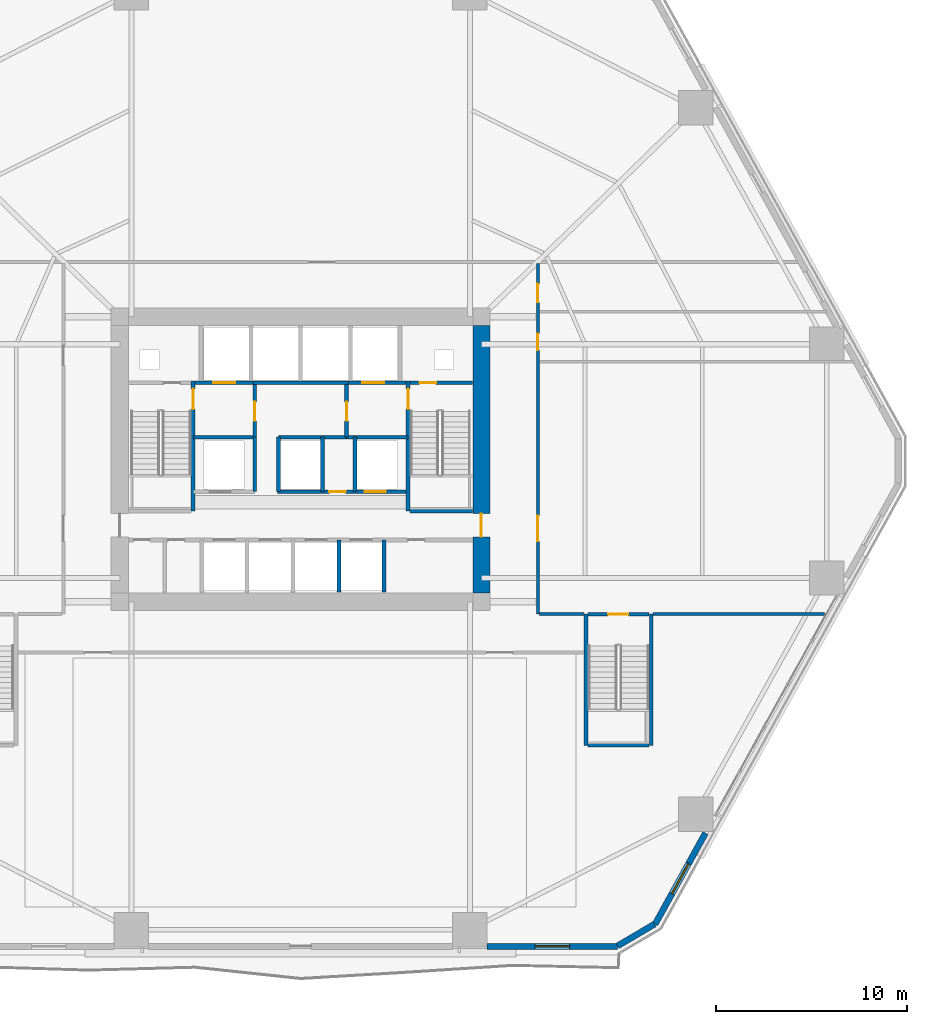
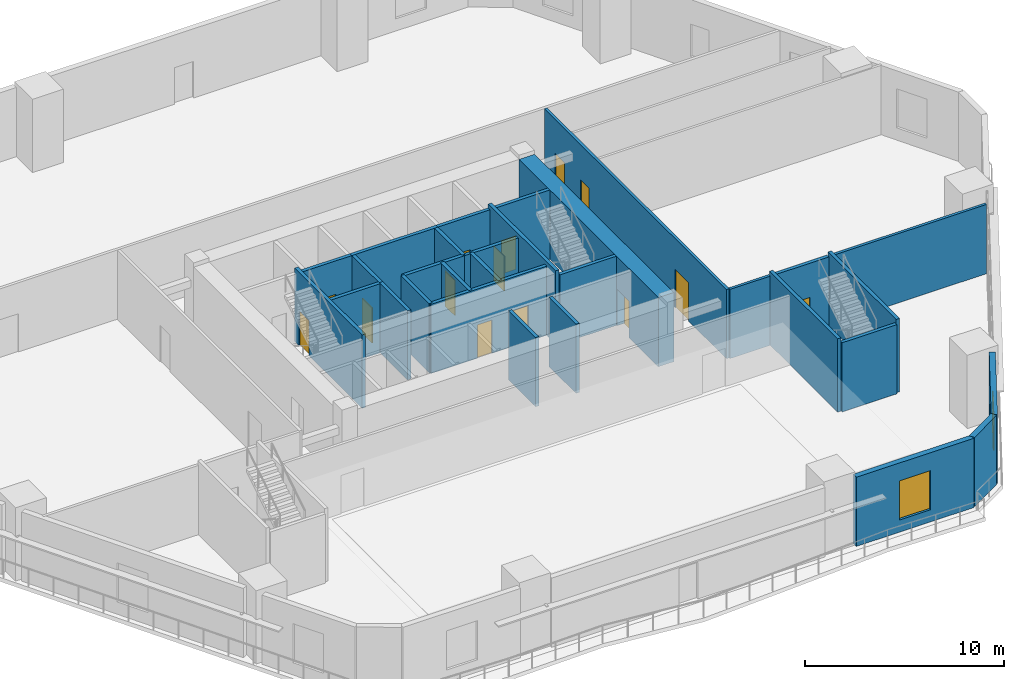
# One storey, part 10 of 21: 30 walls, 14 doors, 2 windows, 16 openings.
"""IFC4 building model written with IfcOpenShell, lengths in metres."""

from ifc_helpers import new_model, si_unit, direction, frame, frame_2d, origin, place, context, subcontext, project, spatial, rectangle, extrude, material, layer, layer_set, type_object, element, fill, save


model = new_model("IFC4")

# Units and contexts
model_context = context("Model", 3, precision=1e-05, world=origin(), true_north=direction((0.0, 1.0)))
body_context = subcontext(model_context, "Body", "Model", "MODEL_VIEW")
ifc_project = project(units=[si_unit("LENGTHUNIT", "METRE"), si_unit("AREAUNIT", "SQUARE_METRE"), si_unit("VOLUMEUNIT", "CUBIC_METRE"), si_unit("PLANEANGLEUNIT", "RADIAN"), si_unit("MASSUNIT", "GRAM", prefix="KILO")], contexts=[model_context])

# Site, building, storey
site_placement = place(None, origin())
site = spatial("IfcSite", under=ifc_project, at=site_placement, CompositionType="ELEMENT")
building_placement = place(site_placement, origin())
building = spatial("IfcBuilding", under=site, at=building_placement, Name="Cinnabar Lancet Tower", CompositionType="ELEMENT")
storey_placement = place(building_placement, frame((0.0, 0.0, 6.0)))
storey = spatial("IfcBuildingStorey", under=building, at=storey_placement, Name="L01", CompositionType="ELEMENT", Elevation=6.0)

# Walls
ifc_material_1 = material(Name="Acoustic twin-stud gypsum partition", Category="gypsum")
ifc_layer_1 = layer(ifc_material_1, 0.159912109375)
ifc_layer_set_1 = layer_set([ifc_layer_1], Name="Acoustic twin-stud gypsum partition")
wall_type_1 = type_object("IfcWallType", Name="ARC-WL-CORR-160", PredefinedType="PARTITIONING", material=ifc_layer_set_1)
wall_1_placement = place(storey_placement, frame((44.885009765625, 17.800048828125, 0.0), z_axis=(0.0, 0.0, 1.0), x_axis=(1.0, 0.0, 0.0)))
element("IfcWall", 1, at=wall_1_placement, inside=storey, type_object=wall_type_1, Name="PW-L01-ESTEP", PredefinedType="PARTITIONING", context=body_context, shape_type="SweptSolid", body=[
    extrude(rectangle(XDim=2.330078125, YDim=0.159912109375, at=frame_2d((1.1650390625, 0.0))), origin(), (0.0, 0.0, 1.0), 4.25),
])
wall_2_placement = place(storey_placement, frame((50.824951171875, 17.800048828125, 0.0), z_axis=(0.0, 0.0, 1.0), x_axis=(1.0, 0.0, 0.0)))
element("IfcWall", 2, at=wall_2_placement, inside=storey, type_object=wall_type_1, Name="PW-L01-ESF", PredefinedType="PARTITIONING", context=body_context, shape_type="SweptSolid", body=[
    extrude(rectangle(XDim=8.955078125, YDim=0.159912109375, at=frame_2d((4.4775390625, 0.0))), origin(), (0.0, 0.0, 1.0), 4.25),
])

# Wall, openings, doors
wall_3_placement = place(storey_placement, frame((44.800048828125, 17.800048828125, 0.0), z_axis=(0.0, 0.0, 1.0), x_axis=(0.0, 1.0, 0.0)))
wall_3 = element("IfcWall", 3, at=wall_3_placement, inside=storey, type_object=wall_type_1, Name="PW-L01-EWG", PredefinedType="PARTITIONING", context=body_context, shape_type="SweptSolid", body=[
    extrude(rectangle(XDim=18.31494140625, YDim=0.159912109375, at=frame_2d((9.157470703125, 0.0))), origin(), (0.0, 0.0, 1.0), 4.25),
])
opening_1_placement = place(wall_3_placement, frame((3.800048828125, 0.0, 0.0)))
opening_1 = element("IfcOpeningElement", 4, at=opening_1_placement, cuts=wall_3, Name="Opening UD-02", PredefinedType="OPENING", context=body_context, shape_type="SweptSolid", body=[
    extrude(rectangle(XDim=1.35009765625, YDim=2.35009765625, at=frame_2d((0.675048828125, 1.175048828125))), frame((0.0, 0.08984375, 0.0), z_axis=(0.0, -1.0, 0.0), x_axis=(1.0, 0.0, 0.0)), (0.0, 0.0, 1.0), 0.179931640625),
])
opening_2_placement = place(wall_3_placement, frame((13.800048828125, 0.0, 0.0)))
opening_2 = element("IfcOpeningElement", 5, at=opening_2_placement, cuts=wall_3, Name="Opening BD-01", PredefinedType="OPENING", context=body_context, shape_type="SweptSolid", body=[
    extrude(rectangle(XDim=0.860107421875, YDim=2.10009765625, at=frame_2d((0.43017578125, 1.050048828125))), frame((0.0, 0.08984375, 0.0), z_axis=(0.0, -1.0, 0.0), x_axis=(1.0, 0.0, 0.0)), (0.0, 0.0, 1.0), 0.179931640625),
])
opening_3_placement = place(wall_3_placement, frame((16.300048828125, 0.0, 0.0)))
opening_3 = element("IfcOpeningElement", 6, at=opening_3_placement, cuts=wall_3, Name="Opening BD-02", PredefinedType="OPENING", context=body_context, shape_type="SweptSolid", body=[
    extrude(rectangle(XDim=0.9599609375, YDim=2.14990234375, at=frame_2d((0.47998046875, 1.074951171875))), frame((0.0, 0.08984375, 0.0), z_axis=(0.0, -1.0, 0.0), x_axis=(1.0, 0.0, 0.0)), (0.0, 0.0, 1.0), 0.179931640625),
])
ifc_material_2 = material(Name="Accessible wide-leaf washroom door", Category="wood")
door_type_1 = type_object("IfcDoorType", Name="ARC-DR-ACCWC", OperationType="NOTDEFINED", PredefinedType="DOOR", material=ifc_material_2)
door_1_placement = place(opening_3_placement, origin())
door_1 = element("IfcDoor", 7, at=door_1_placement, inside=storey, type_object=door_type_1, Name="DR-L01-ACCWC", OperationType="SINGLE_SWING_RIGHT", OverallHeight=2.14990234375, OverallWidth=0.9599609375, PredefinedType="DOOR", context=body_context, shape_type="SweptSolid", body=[
    extrude(rectangle(XDim=0.9599609375, YDim=2.14990234375, at=frame_2d((0.47998046875, 1.074951171875))), frame((0.0, 0.02490234375, 0.0), z_axis=(0.0, -1.0, 0.0), x_axis=(1.0, 0.0, 0.0)), (0.0, 0.0, 1.0), 0.050048828125),
])
fill(opening_3, door_1)
ifc_material_3 = material(Name="Moisture-resistant timber bathroom door", Category="wood")
door_type_2 = type_object("IfcDoorType", Name="ARC-DR-BATH", OperationType="NOTDEFINED", PredefinedType="DOOR", material=ifc_material_3)
door_2_placement = place(opening_2_placement, origin())
door_2 = element("IfcDoor", 8, at=door_2_placement, inside=storey, type_object=door_type_2, Name="DR-L01-PUBWC", OperationType="SINGLE_SWING_LEFT", OverallHeight=2.10009765625, OverallWidth=0.860107421875, PredefinedType="DOOR", context=body_context, shape_type="SweptSolid", body=[
    extrude(rectangle(XDim=0.860107421875, YDim=2.10009765625, at=frame_2d((0.43017578125, 1.050048828125))), frame((0.0, 0.02490234375, 0.0), z_axis=(0.0, -1.0, 0.0), x_axis=(1.0, 0.0, 0.0)), (0.0, 0.0, 1.0), 0.050048828125),
])
fill(opening_2, door_2)
ifc_material_4 = material(Name="Double-leaf solid timber penthouse entrance door", Category="wood")
door_type_3 = type_object("IfcDoorType", Name="ARC-DR-UNIT-PH", OperationType="NOTDEFINED", PredefinedType="DOOR", material=ifc_material_4)
door_3_placement = place(opening_1_placement, origin())
door_3 = element("IfcDoor", 9, at=door_3_placement, inside=storey, type_object=door_type_3, Name="DR-L01-EAST1", OperationType="SINGLE_SWING_RIGHT", OverallHeight=2.35009765625, OverallWidth=1.35009765625, PredefinedType="DOOR", context=body_context, shape_type="SweptSolid", body=[
    extrude(rectangle(XDim=1.35009765625, YDim=2.35009765625, at=frame_2d((0.675048828125, 1.175048828125))), frame((0.0, 0.02490234375, 0.0), z_axis=(0.0, -1.0, 0.0), x_axis=(1.0, 0.0, 0.0)), (0.0, 0.0, 1.0), 0.050048828125),
])
fill(opening_1, door_3)

# Wall
ifc_material_5 = material(Name="Autoclaved aerated concrete blockwork", Category="masonry")
ifc_layer_2 = layer(ifc_material_5, 0.199951171875)
ifc_layer_set_2 = layer_set([ifc_layer_2], Name="Autoclaved aerated concrete blockwork")
wall_type_2 = type_object("IfcWallType", Name="ARC-WL-SHAFT-200", PredefinedType="PLUMBINGWALL", material=ifc_layer_set_2)
wall_4_placement = place(storey_placement, frame((38.125, 23.199951171875, 0.0), z_axis=(0.0, 0.0, 1.0), x_axis=(1.0, 0.0, 0.0)))
element("IfcWall", 10, at=wall_4_placement, inside=storey, type_object=wall_type_2, Name="CW-ST2S-L01", PredefinedType="PLUMBINGWALL", context=body_context, shape_type="SweptSolid", body=[
    extrude(rectangle(XDim=3.27001953125, YDim=0.199951171875, at=frame_2d((1.635009765625, 0.0))), origin(), (0.0, 0.0, 1.0), 4.25),
])

# Wall, opening, door
wall_5_placement = place(storey_placement, frame((26.885009765625, 29.89990234375, 0.0), z_axis=(0.0, 0.0, 1.0), x_axis=(1.0, 0.0, 0.0)))
wall_5 = element("IfcWall", 11, at=wall_5_placement, inside=storey, type_object=wall_type_2, Name="CW-FL1-L01", PredefinedType="PLUMBINGWALL", context=body_context, shape_type="SweptSolid", body=[
    extrude(rectangle(XDim=3.014892578125, YDim=0.199951171875, at=frame_2d((1.50732421875, 0.0))), origin(), (0.0, 0.0, 1.0), 4.25),
])
opening_4_placement = place(wall_5_placement, frame((0.93994140625, 0.0, 0.0)))
opening_4 = element("IfcOpeningElement", 12, at=opening_4_placement, cuts=wall_5, Name="Opening LD-02", PredefinedType="OPENING", context=body_context, shape_type="SweptSolid", body=[
    extrude(rectangle(XDim=1.14990234375, YDim=2.199951171875, at=frame_2d((0.574951171875, 1.10009765625))), frame((0.0, 0.10986328125, 0.0), z_axis=(0.0, -1.0, 0.0), x_axis=(1.0, 0.0, 0.0)), (0.0, 0.0, 1.0), 0.219970703125),
])
ifc_material_6 = material(Name="Fire-rated stainless steel firefighting lift landing door", Category="steel")
door_type_4 = type_object("IfcDoorType", Name="ARC-DR-LD-FIRE", OperationType="NOTDEFINED", PredefinedType="DOOR", material=ifc_material_6)
door_4_placement = place(opening_4_placement, origin())
door_4 = element("IfcDoor", 13, at=door_4_placement, inside=storey, type_object=door_type_4, Name="L01 Firefighting Lift FL-1 Landing Door", OperationType="DOUBLE_DOOR_SLIDING", OverallHeight=2.199951171875, OverallWidth=1.14990234375, PredefinedType="DOOR", context=body_context, shape_type="SweptSolid", body=[
    extrude(rectangle(XDim=1.14990234375, YDim=2.199951171875, at=frame_2d((0.574951171875, 1.10009765625))), frame((0.0, 0.02490234375, 0.0), z_axis=(0.0, -1.0, 0.0), x_axis=(1.0, 0.0, 0.0)), (0.0, 0.0, 1.0), 0.050048828125),
])
fill(opening_4, door_4)

# Wall
wall_6_placement = place(storey_placement, frame((29.89990234375, 29.89990234375, 0.0), z_axis=(0.0, 0.0, 1.0), x_axis=(1.0, 0.0, 0.0)))
element("IfcWall", 14, at=wall_6_placement, inside=storey, type_object=wall_type_2, Name="CW-PL78-L01", PredefinedType="PLUMBINGWALL", context=body_context, shape_type="SweptSolid", body=[
    extrude(rectangle(XDim=5.0, YDim=0.199951171875, at=frame_2d((2.5, 0.0))), origin(), (0.0, 0.0, 1.0), 4.25),
])

# Wall, opening, door
wall_7_placement = place(storey_placement, frame((34.89990234375, 29.89990234375, 0.0), z_axis=(0.0, 0.0, 1.0), x_axis=(1.0, 0.0, 0.0)))
wall_7 = element("IfcWall", 15, at=wall_7_placement, inside=storey, type_object=wall_type_2, Name="CW-FL2-L01", PredefinedType="PLUMBINGWALL", context=body_context, shape_type="SweptSolid", body=[
    extrude(rectangle(XDim=3.01513671875, YDim=0.199951171875, at=frame_2d((1.507568359375, 0.0))), origin(), (0.0, 0.0, 1.0), 4.25),
])
opening_5_placement = place(wall_7_placement, frame((0.72509765625, 0.0, 0.0)))
opening_5 = element("IfcOpeningElement", 16, at=opening_5_placement, cuts=wall_7, Name="Opening LD-02", PredefinedType="OPENING", context=body_context, shape_type="SweptSolid", body=[
    extrude(rectangle(XDim=1.14990234375, YDim=2.199951171875, at=frame_2d((0.574951171875, 1.10009765625))), frame((0.0, 0.10986328125, 0.0), z_axis=(0.0, -1.0, 0.0), x_axis=(1.0, 0.0, 0.0)), (0.0, 0.0, 1.0), 0.219970703125),
])
door_5_placement = place(opening_5_placement, origin())
door_5 = element("IfcDoor", 17, at=door_5_placement, inside=storey, type_object=door_type_4, Name="L01 Firefighting Lift FL-2 Landing Door", OperationType="DOUBLE_DOOR_SLIDING", OverallHeight=2.199951171875, OverallWidth=1.14990234375, PredefinedType="DOOR", context=body_context, shape_type="SweptSolid", body=[
    extrude(rectangle(XDim=1.14990234375, YDim=2.199951171875, at=frame_2d((0.574951171875, 1.10009765625))), frame((0.0, 0.02490234375, 0.0), z_axis=(0.0, -1.0, 0.0), x_axis=(1.0, 0.0, 0.0)), (0.0, 0.0, 1.0), 0.050048828125),
])
fill(opening_5, door_5)

wall_8_placement = place(storey_placement, frame((38.125, 29.89990234375, 0.0), z_axis=(0.0, 0.0, 1.0), x_axis=(1.0, 0.0, 0.0)))
wall_8 = element("IfcWall", 18, at=wall_8_placement, inside=storey, type_object=wall_type_2, Name="CW-NSH-E-L01", PredefinedType="PLUMBINGWALL", context=body_context, shape_type="SweptSolid", body=[
    extrude(rectangle(XDim=3.27001953125, YDim=0.199951171875, at=frame_2d((1.635009765625, 0.0))), origin(), (0.0, 0.0, 1.0), 4.25),
])
opening_6_placement = place(wall_8_placement, frame((0.5, 0.0, 0.0)))
opening_6 = element("IfcOpeningElement", 19, at=opening_6_placement, cuts=wall_8, Name="Opening PD-02", PredefinedType="OPENING", context=body_context, shape_type="SweptSolid", body=[
    extrude(rectangle(XDim=0.85009765625, YDim=2.050048828125, at=frame_2d((0.425048828125, 1.02490234375))), frame((0.0, 0.10986328125, 0.0), z_axis=(0.0, -1.0, 0.0), x_axis=(1.0, 0.0, 0.0)), (0.0, 0.0, 1.0), 0.219970703125),
])
ifc_material_7 = material(Name="Fire-rated steel riser access door", Category="steel")
door_type_5 = type_object("IfcDoorType", Name="ARC-DR-RISER", OperationType="NOTDEFINED", PredefinedType="DOOR", material=ifc_material_7)
door_6_placement = place(opening_6_placement, origin())
door_6 = element("IfcDoor", 20, at=door_6_placement, inside=storey, type_object=door_type_5, Name="L01 East Riser Access Door", OperationType="SINGLE_SWING_RIGHT", OverallHeight=2.050048828125, OverallWidth=0.85009765625, PredefinedType="DOOR", context=body_context, shape_type="SweptSolid", body=[
    extrude(rectangle(XDim=0.85009765625, YDim=2.050048828125, at=frame_2d((0.425048828125, 1.02490234375))), frame((0.0, 0.02490234375, 0.0), z_axis=(0.0, -1.0, 0.0), x_axis=(1.0, 0.0, 0.0)), (0.0, 0.0, 1.0), 0.050048828125),
])
fill(opening_6, door_6)

wall_9_placement = place(storey_placement, frame((30.0, 27.050048828125, 0.0), z_axis=(0.0, 0.0, 1.0), x_axis=(0.0, 1.0, 0.0)))
wall_9 = element("IfcWall", 21, at=wall_9_placement, inside=storey, type_object=wall_type_2, Name="CW-FF1E-L01", PredefinedType="PLUMBINGWALL", context=body_context, shape_type="SweptSolid", body=[
    extrude(rectangle(XDim=2.75, YDim=0.199951171875, at=frame_2d((1.375, 0.0))), origin(), (0.0, 0.0, 1.0), 4.25),
])
opening_7_placement = place(wall_9_placement, frame((0.85009765625, 0.0, 0.0)))
opening_7 = element("IfcOpeningElement", 22, at=opening_7_placement, cuts=wall_9, Name="Opening FD-01", PredefinedType="OPENING", context=body_context, shape_type="SweptSolid", body=[
    extrude(rectangle(XDim=1.0, YDim=2.14990234375, at=frame_2d((0.5, 1.074951171875))), frame((0.0, 0.10986328125, 0.0), z_axis=(0.0, -1.0, 0.0), x_axis=(1.0, 0.0, 0.0)), (0.0, 0.0, 1.0), 0.219970703125),
])
ifc_material_8 = material(Name="Fire-rated timber-core lobby door", Category="wood")
door_type_6 = type_object("IfcDoorType", Name="ARC-DR-FFAL", OperationType="NOTDEFINED", PredefinedType="DOOR", material=ifc_material_8)
door_7_placement = place(opening_7_placement, origin())
door_7 = element("IfcDoor", 23, at=door_7_placement, inside=storey, type_object=door_type_6, Name="L01 FFAL-1 Lobby Fire Door", OperationType="SINGLE_SWING_RIGHT", OverallHeight=2.14990234375, OverallWidth=1.0, PredefinedType="DOOR", context=body_context, shape_type="SweptSolid", body=[
    extrude(rectangle(XDim=1.0, YDim=2.14990234375, at=frame_2d((0.5, 1.074951171875))), frame((0.0, 0.02490234375, 0.0), z_axis=(0.0, -1.0, 0.0), x_axis=(1.0, 0.0, 0.0)), (0.0, 0.0, 1.0), 0.050048828125),
])
fill(opening_7, door_7)

# Wall
wall_10_placement = place(storey_placement, frame((26.800048828125, 27.050048828125, 0.0), z_axis=(0.0, 0.0, 1.0), x_axis=(1.0, 0.0, 0.0)))
element("IfcWall", 24, at=wall_10_placement, inside=storey, type_object=wall_type_2, Name="CW-FF1S-L01", PredefinedType="PLUMBINGWALL", context=body_context, shape_type="SweptSolid", body=[
    extrude(rectangle(XDim=3.199951171875, YDim=0.199951171875, at=frame_2d((1.60009765625, 0.0))), origin(), (0.0, 0.0, 1.0), 4.25),
])

# Wall, opening, door
wall_11_placement = place(storey_placement, frame((34.800048828125, 27.050048828125, 0.0), z_axis=(0.0, 0.0, 1.0), x_axis=(0.0, 1.0, 0.0)))
wall_11 = element("IfcWall", 25, at=wall_11_placement, inside=storey, type_object=wall_type_2, Name="CW-FF2W-L01", PredefinedType="PLUMBINGWALL", context=body_context, shape_type="SweptSolid", body=[
    extrude(rectangle(XDim=2.75, YDim=0.199951171875, at=frame_2d((1.375, 0.0))), origin(), (0.0, 0.0, 1.0), 4.25),
])
opening_8_placement = place(wall_11_placement, frame((0.85009765625, 0.0, 0.0)))
opening_8 = element("IfcOpeningElement", 26, at=opening_8_placement, cuts=wall_11, Name="Opening FD-01", PredefinedType="OPENING", context=body_context, shape_type="SweptSolid", body=[
    extrude(rectangle(XDim=1.0, YDim=2.14990234375, at=frame_2d((0.5, 1.074951171875))), frame((0.0, 0.10986328125, 0.0), z_axis=(0.0, -1.0, 0.0), x_axis=(1.0, 0.0, 0.0)), (0.0, 0.0, 1.0), 0.219970703125),
])
door_8_placement = place(opening_8_placement, origin())
door_8 = element("IfcDoor", 27, at=door_8_placement, inside=storey, type_object=door_type_6, Name="L01 FFAL-2 Lobby Fire Door", OperationType="SINGLE_SWING_LEFT", OverallHeight=2.14990234375, OverallWidth=1.0, PredefinedType="DOOR", context=body_context, shape_type="SweptSolid", body=[
    extrude(rectangle(XDim=1.0, YDim=2.14990234375, at=frame_2d((0.5, 1.074951171875))), frame((0.0, 0.02490234375, 0.0), z_axis=(0.0, -1.0, 0.0), x_axis=(1.0, 0.0, 0.0)), (0.0, 0.0, 1.0), 0.050048828125),
])
fill(opening_8, door_8)

# Walls
wall_12_placement = place(storey_placement, frame((34.800048828125, 27.050048828125, 0.0), z_axis=(0.0, 0.0, 1.0), x_axis=(1.0, 0.0, 0.0)))
element("IfcWall", 28, at=wall_12_placement, inside=storey, type_object=wall_type_2, Name="CW-FF2S-L01", PredefinedType="PLUMBINGWALL", context=body_context, shape_type="SweptSolid", body=[
    extrude(rectangle(XDim=3.199951171875, YDim=0.199951171875, at=frame_2d((1.60009765625, 0.0))), origin(), (0.0, 0.0, 1.0), 4.25),
])
wall_13_placement = place(storey_placement, frame((30.0, 24.199951171875, 0.0), z_axis=(0.0, 0.0, 1.0), x_axis=(0.0, 1.0, 0.0)))
element("IfcWall", 29, at=wall_13_placement, inside=storey, type_object=wall_type_2, Name="CW-PL5E-L01", PredefinedType="PLUMBINGWALL", context=body_context, shape_type="SweptSolid", body=[
    extrude(rectangle(XDim=2.85009765625, YDim=0.199951171875, at=frame_2d((1.425048828125, 0.0))), origin(), (0.0, 0.0, 1.0), 4.25),
])

# Wall, openings, doors
wall_14_placement = place(storey_placement, frame((31.199951171875, 24.199951171875, 0.0), z_axis=(0.0, 0.0, 1.0), x_axis=(1.0, 0.0, 0.0)))
wall_14 = element("IfcWall", 30, at=wall_14_placement, inside=storey, type_object=wall_type_2, Name="CW-PL96S-L01", PredefinedType="PLUMBINGWALL", context=body_context, shape_type="SweptSolid", body=[
    extrude(rectangle(XDim=6.800048828125, YDim=0.199951171875, at=frame_2d((3.39990234375, 0.0))), origin(), (0.0, 0.0, 1.0), 4.25),
])
opening_9_placement = place(wall_14_placement, frame((2.699951171875, 0.0, 0.0)))
opening_9 = element("IfcOpeningElement", 31, at=opening_9_placement, cuts=wall_14, Name="Opening PD-02", PredefinedType="OPENING", context=body_context, shape_type="SweptSolid", body=[
    extrude(rectangle(XDim=0.85009765625, YDim=2.050048828125, at=frame_2d((0.425048828125, 1.02490234375))), frame((0.0, 0.10986328125, 0.0), z_axis=(0.0, -1.0, 0.0), x_axis=(1.0, 0.0, 0.0)), (0.0, 0.0, 1.0), 0.219970703125),
])
opening_10_placement = place(wall_14_placement, frame((4.550048828125, 0.0, 0.0)))
opening_10 = element("IfcOpeningElement", 32, at=opening_10_placement, cuts=wall_14, Name="Opening LD-01", PredefinedType="OPENING", context=body_context, shape_type="SweptSolid", body=[
    extrude(rectangle(XDim=1.10009765625, YDim=2.199951171875, at=frame_2d((0.550048828125, 1.10009765625))), frame((0.0, 0.10986328125, 0.0), z_axis=(0.0, -1.0, 0.0), x_axis=(1.0, 0.0, 0.0)), (0.0, 0.0, 1.0), 0.219970703125),
])
ifc_material_9 = material(Name="Brushed stainless steel sliding lift door", Category="steel")
door_type_7 = type_object("IfcDoorType", Name="ARC-DR-LD-PASS", OperationType="NOTDEFINED", PredefinedType="DOOR", material=ifc_material_9)
door_9_placement = place(opening_10_placement, origin())
door_9 = element("IfcDoor", 33, at=door_9_placement, inside=storey, type_object=door_type_7, Name="L01 Lift PL-6 Landing Door", OperationType="DOUBLE_DOOR_SLIDING", OverallHeight=2.199951171875, OverallWidth=1.10009765625, PredefinedType="DOOR", context=body_context, shape_type="SweptSolid", body=[
    extrude(rectangle(XDim=1.10009765625, YDim=2.199951171875, at=frame_2d((0.550048828125, 1.10009765625))), frame((0.0, 0.02490234375, 0.0), z_axis=(0.0, -1.0, 0.0), x_axis=(1.0, 0.0, 0.0)), (0.0, 0.0, 1.0), 0.050048828125),
])
fill(opening_10, door_9)
door_10_placement = place(opening_9_placement, origin())
door_10 = element("IfcDoor", 34, at=door_10_placement, inside=storey, type_object=door_type_5, Name="L01 BMS Closet Door", OperationType="SINGLE_SWING_LEFT", OverallHeight=2.050048828125, OverallWidth=0.85009765625, PredefinedType="DOOR", context=body_context, shape_type="SweptSolid", body=[
    extrude(rectangle(XDim=0.85009765625, YDim=2.050048828125, at=frame_2d((0.425048828125, 1.02490234375))), frame((0.0, 0.02490234375, 0.0), z_axis=(0.0, -1.0, 0.0), x_axis=(1.0, 0.0, 0.0)), (0.0, 0.0, 1.0), 0.050048828125),
])
fill(opening_9, door_10)

# Walls
for number, where, z_axis, x_axis, name in (
    (35, (31.25, 24.199951171875, 0.0), (0.0, 0.0, 1.0), (0.0, 1.0, 0.0), "CW-PL9W-L01"),
    (36, (33.550048828125, 24.199951171875, 0.0), (0.0, 0.0, 1.0), (0.0, 1.0, 0.0), "CW-PL9E-L01"),
    (37, (35.25, 24.199951171875, 0.0), (0.0, 0.0, 1.0), (0.0, 1.0, 0.0), "CW-PL6W-L01"),
):
    element("IfcWall", number, at=place(storey_placement, frame(where, z_axis=z_axis, x_axis=x_axis)), inside=storey, type_object=wall_type_2, Name=name, PredefinedType="PLUMBINGWALL", context=body_context, shape_type="SweptSolid", body=[
        extrude(rectangle(XDim=2.85009765625, YDim=0.199951171875, at=frame_2d((1.425048828125, 0.0))), origin(), (0.0, 0.0, 1.0), 4.25),
    ])
wall_15_placement = place(storey_placement, frame((31.25, 27.050048828125, 0.0), z_axis=(0.0, 0.0, 1.0), x_axis=(1.0, 0.0, 0.0)))
element("IfcWall", 38, at=wall_15_placement, inside=storey, type_object=wall_type_2, Name="CW-PL96N-L01", PredefinedType="PLUMBINGWALL", context=body_context, shape_type="SweptSolid", body=[
    extrude(rectangle(XDim=3.550048828125, YDim=0.199951171875, at=frame_2d((1.77490234375, 0.0))), origin(), (0.0, 0.0, 1.0), 4.25),
])
for number, where, z_axis, x_axis, name in (
    (39, (34.39990234375, 18.949951171875, 0.0), (0.0, 0.0, 1.0), (0.0, 1.0, 0.0), "CW-SB-3440-L01"),
    (40, (36.75, 18.949951171875, 0.0), (0.0, 0.0, 1.0), (0.0, 1.0, 0.0), "CW-SB-3675-L01"),
):
    element("IfcWall", number, at=place(storey_placement, frame(where, z_axis=z_axis, x_axis=x_axis)), inside=storey, type_object=wall_type_2, Name=name, PredefinedType="PLUMBINGWALL", context=body_context, shape_type="SweptSolid", body=[
        extrude(rectangle(XDim=2.72998046875, YDim=0.199951171875, at=frame_2d((1.364990234375, 0.0))), origin(), (0.0, 0.0, 1.0), 4.25),
    ])
wall_16_placement = place(storey_placement, frame((47.425048828125, 10.949951171875, 0.0), z_axis=(0.0, 0.0, 1.0), x_axis=(1.0, 0.0, 0.0)))
element("IfcWall", 41, at=wall_16_placement, inside=storey, type_object=wall_type_2, Name="PW-ST4S-L01", PredefinedType="PLUMBINGWALL", context=body_context, shape_type="SweptSolid", body=[
    extrude(rectangle(XDim=3.18994140625, YDim=0.199951171875, at=frame_2d((1.594970703125, 0.0))), origin(), (0.0, 0.0, 1.0), 4.25),
])

# Wall, opening, door
wall_17_placement = place(storey_placement, frame((47.425048828125, 17.800048828125, 0.0), z_axis=(0.0, 0.0, 1.0), x_axis=(1.0, 0.0, 0.0)))
wall_17 = element("IfcWall", 42, at=wall_17_placement, inside=storey, type_object=wall_type_2, Name="PW-ST4N-L01", PredefinedType="PLUMBINGWALL", context=body_context, shape_type="SweptSolid", body=[
    extrude(rectangle(XDim=3.18994140625, YDim=0.199951171875, at=frame_2d((1.594970703125, 0.0))), origin(), (0.0, 0.0, 1.0), 4.25),
])
opening_11_placement = place(wall_17_placement, frame((1.050048828125, 0.0, 0.0)))
opening_11 = element("IfcOpeningElement", 43, at=opening_11_placement, cuts=wall_17, Name="Opening SD-01", PredefinedType="OPENING", context=body_context, shape_type="SweptSolid", body=[
    extrude(rectangle(XDim=1.050048828125, YDim=2.14990234375, at=frame_2d((0.52490234375, 1.074951171875))), frame((0.0, 0.10986328125, 0.0), z_axis=(0.0, -1.0, 0.0), x_axis=(1.0, 0.0, 0.0)), (0.0, 0.0, 1.0), 0.219970703125),
])
ifc_material_10 = material(Name="Fire-rated steel stair exit door", Category="steel")
door_type_8 = type_object("IfcDoorType", Name="ARC-DR-STAIR", OperationType="NOTDEFINED", PredefinedType="DOOR", material=ifc_material_10)
door_11_placement = place(opening_11_placement, origin())
door_11 = element("IfcDoor", 44, at=door_11_placement, inside=storey, type_object=door_type_8, Name="L01 Podium Stair ST-4 Fire Door", OperationType="SINGLE_SWING_RIGHT", OverallHeight=2.14990234375, OverallWidth=1.050048828125, PredefinedType="DOOR", context=body_context, shape_type="SweptSolid", body=[
    extrude(rectangle(XDim=1.050048828125, YDim=2.14990234375, at=frame_2d((0.52490234375, 1.074951171875))), frame((0.0, 0.02490234375, 0.0), z_axis=(0.0, -1.0, 0.0), x_axis=(1.0, 0.0, 0.0)), (0.0, 0.0, 1.0), 0.050048828125),
])
fill(opening_11, door_11)

# Wall
ifc_material_11 = material(Name="Warm buff clay brick", Category="masonry")
ifc_layer_3 = layer(ifc_material_11, 0.320068359375)
ifc_layer_set_3 = layer_set([ifc_layer_3], Name="Warm buff clay brick")
wall_type_3 = type_object("IfcWallType", Name="ENV-WL-BRK-BUF-320", PredefinedType="STANDARD", material=ifc_layer_set_3)
wall_18_placement = place(storey_placement, frame((48.962890625, 0.462890625, 0.0), z_axis=(0.0, 0.0, 1.0), x_axis=(0.861209017918, 0.508250949293, 0.0)))
element("IfcWall", 45, at=wall_18_placement, inside=storey, type_object=wall_type_3, Name="L01 Chamfered Corner Brick Pier 2.1", PredefinedType="STANDARD", context=body_context, shape_type="SweptSolid", body=[
    extrude(rectangle(XDim=2.2529296875, YDim=0.320068359375, at=frame_2d((1.12646484375, 0.0))), origin(), (0.0, 0.0, 1.0), 4.25),
])

# Wall, opening, window
wall_19_placement = place(storey_placement, frame((42.14892578125, 0.43994140625, 0.0), z_axis=(0.0, 0.0, 1.0), x_axis=(1.0, 0.0, 0.0)))
wall_19 = element("IfcWall", 46, at=wall_19_placement, inside=storey, type_object=wall_type_3, Name="L01 Face 1 Masonry Bay Wall 3", PredefinedType="STANDARD", context=body_context, shape_type="SweptSolid", body=[
    extrude(rectangle(XDim=6.819091796875, YDim=0.320068359375, at=frame_2d((3.40966796875, 0.0))), origin(), (0.0, 0.0, 1.0), 4.25),
])
opening_12_placement = place(wall_19_placement, frame((2.510009765625, 0.0, 0.75)))
opening_12 = element("IfcOpeningElement", 47, at=opening_12_placement, cuts=wall_19, Name="Opening WN-05", PredefinedType="OPENING", context=body_context, shape_type="SweptSolid", body=[
    extrude(rectangle(XDim=1.800048828125, YDim=2.39990234375, at=frame_2d((0.89990234375, 1.199951171875))), frame((0.0, 0.169921875, 0.0), z_axis=(0.0, -1.0, 0.0), x_axis=(1.0, 0.0, 0.0)), (0.0, 0.0, 1.0), 0.340087890625),
])
ifc_material_12 = material(Name="Thermally broken bronze-anodized aluminium podium lancet window", Category="aluminium")
window_type = type_object("IfcWindowType", Name="ENV-WN-POD-1800", PartitioningType="SINGLE_PANEL", PredefinedType="WINDOW", material=ifc_material_12)
window_1_placement = place(opening_12_placement, origin())
window_1 = element("IfcWindow", 48, at=window_1_placement, inside=storey, type_object=window_type, Name="L01 Face 1 Gothic Lancet Window 3", OverallHeight=2.39990234375, OverallWidth=1.800048828125, PartitioningType="SINGLE_PANEL", PredefinedType="WINDOW", context=body_context, shape_type="SweptSolid", body=[
    extrude(rectangle(XDim=1.800048828125, YDim=2.39990234375, at=frame_2d((0.89990234375, 1.199951171875))), frame((0.0, 0.030029296875, 0.0), z_axis=(0.0, -1.0, 0.0), x_axis=(1.0, 0.0, 0.0)), (0.0, 0.0, 1.0), 0.06005859375),
])
fill(opening_12, window_1)

wall_20_placement = place(storey_placement, frame((50.9208984375, 1.593017578125, 0.0), z_axis=(0.0, 0.0, 1.0), x_axis=(0.483675274773, 0.875247524174, 0.0)))
wall_20 = element("IfcWall", 49, at=wall_20_placement, inside=storey, type_object=wall_type_3, Name="L01 Face 2 Masonry Bay Wall 1", PredefinedType="STANDARD", context=body_context, shape_type="SweptSolid", body=[
    extrude(rectangle(XDim=5.449951171875, YDim=0.320068359375, at=frame_2d((2.72509765625, 0.0))), origin(), (0.0, 0.0, 1.0), 4.25),
])
opening_13_placement = place(wall_20_placement, frame((1.824951171875, 0.0, 0.75)))
opening_13 = element("IfcOpeningElement", 50, at=opening_13_placement, cuts=wall_20, Name="Opening WN-05", PredefinedType="OPENING", context=body_context, shape_type="SweptSolid", body=[
    extrude(rectangle(XDim=1.800048828125, YDim=2.39990234375, at=frame_2d((0.89990234375, 1.199951171875))), frame((0.0, 0.169921875, 0.0), z_axis=(0.0, -1.0, 0.0), x_axis=(1.0, 0.0, 0.0)), (0.0, 0.0, 1.0), 0.340087890625),
])
window_2_placement = place(opening_13_placement, origin())
window_2 = element("IfcWindow", 51, at=window_2_placement, inside=storey, type_object=window_type, Name="L01 Face 2 Gothic Lancet Window 1", OverallHeight=2.39990234375, OverallWidth=1.800048828125, PartitioningType="SINGLE_PANEL", PredefinedType="WINDOW", context=body_context, shape_type="SweptSolid", body=[
    extrude(rectangle(XDim=1.800048828125, YDim=2.39990234375, at=frame_2d((0.89990234375, 1.199951171875))), frame((0.0, 0.030029296875, 0.0), z_axis=(0.0, -1.0, 0.0), x_axis=(1.0, 0.0, 0.0)), (0.0, 0.0, 1.0), 0.06005859375),
])
fill(opening_13, window_2)

# Wall, opening, door
ifc_material_13 = material(Name="Concrete C80/95", Category="concrete")
ifc_layer_4 = layer(ifc_material_13, 0.89990234375)
ifc_layer_set_4 = layer_set([ifc_layer_4], Name="Concrete C80/95")
wall_type_4 = type_object("IfcWallType", Name="STR-WL-CORE-900", PredefinedType="SHEAR", material=ifc_layer_set_4)
wall_21_placement = place(storey_placement, frame((41.85009765625, 18.89990234375, 0.0), z_axis=(0.0, 0.0, 1.0), x_axis=(0.0, 1.0, 0.0)))
wall_21 = element("IfcWall", 52, at=wall_21_placement, inside=storey, type_object=wall_type_4, Name="L01 Core Shear Wall E", PredefinedType="SHEAR", context=body_context, shape_type="SweptSolid", body=[
    extrude(rectangle(XDim=14.0, YDim=0.89990234375, at=frame_2d((7.0, 0.0))), origin(), (0.0, 0.0, 1.0), 4.25),
])
opening_14_placement = place(wall_21_placement, frame((2.93994140625, 0.0, 0.0)))
opening_14 = element("IfcOpeningElement", 53, at=opening_14_placement, cuts=wall_21, Name="Opening FD-02", PredefinedType="OPENING", context=body_context, shape_type="SweptSolid", body=[
    extrude(rectangle(XDim=1.219970703125, YDim=2.25, at=frame_2d((0.60986328125, 1.125))), frame((0.0, 0.4599609375, 0.0), z_axis=(0.0, -1.0, 0.0), x_axis=(1.0, 0.0, 0.0)), (0.0, 0.0, 1.0), 0.919921875),
])
ifc_material_14 = material(Name="Fire-rated double-vision core portal door", Category="wood")
door_type_9 = type_object("IfcDoorType", Name="ARC-DR-CPORT", OperationType="NOTDEFINED", PredefinedType="DOOR", material=ifc_material_14)
door_12_placement = place(opening_14_placement, origin())
door_12 = element("IfcDoor", 54, at=door_12_placement, inside=storey, type_object=door_type_9, Name="L01 East Core Lobby Fire Door", OperationType="SINGLE_SWING_LEFT", OverallHeight=2.25, OverallWidth=1.219970703125, PredefinedType="DOOR", context=body_context, shape_type="SweptSolid", body=[
    extrude(rectangle(XDim=1.219970703125, YDim=2.25, at=frame_2d((0.60986328125, 1.125))), frame((0.0, 0.02490234375, 0.0), z_axis=(0.0, -1.0, 0.0), x_axis=(1.0, 0.0, 0.0)), (0.0, 0.0, 1.0), 0.050048828125),
])
fill(opening_14, door_12)

ifc_material_15 = material(Name="Concrete C50/60", Category="concrete")
ifc_layer_5 = layer(ifc_material_15, 0.199951171875)
ifc_layer_set_5 = layer_set([ifc_layer_5], Name="Concrete C50/60")
wall_type_5 = type_object("IfcWallType", Name="STR-WL-STAIR-200", PredefinedType="SHEAR", material=ifc_layer_set_5)
wall_22_placement = place(storey_placement, frame((26.780029296875, 23.199951171875, 0.0), z_axis=(0.0, 0.0, 1.0), x_axis=(0.0, 1.0, 0.0)))
wall_22 = element("IfcWall", 55, at=wall_22_placement, inside=storey, type_object=wall_type_5, Name="L01 Stair ST-1 Structural Enclosure Wall", PredefinedType="SHEAR", context=body_context, shape_type="SweptSolid", body=[
    extrude(rectangle(XDim=6.780029296875, YDim=0.199951171875, at=frame_2d((3.39013671875, 0.0))), origin(), (0.0, 0.0, 1.0), 4.5),
])
opening_15_placement = place(wall_22_placement, frame((5.320068359375, 0.0, 0.0)))
opening_15 = element("IfcOpeningElement", 56, at=opening_15_placement, cuts=wall_22, Name="Opening SD-01", PredefinedType="OPENING", context=body_context, shape_type="SweptSolid", body=[
    extrude(rectangle(XDim=1.050048828125, YDim=2.14990234375, at=frame_2d((0.52490234375, 1.074951171875))), frame((0.0, 0.10986328125, 0.0), z_axis=(0.0, -1.0, 0.0), x_axis=(1.0, 0.0, 0.0)), (0.0, 0.0, 1.0), 0.219970703125),
])
door_13_placement = place(opening_15_placement, origin())
door_13 = element("IfcDoor", 57, at=door_13_placement, inside=storey, type_object=door_type_8, Name="L01 Stair ST-1 Fire Door", OperationType="SINGLE_SWING_LEFT", OverallHeight=2.14990234375, OverallWidth=1.050048828125, PredefinedType="DOOR", context=body_context, shape_type="SweptSolid", body=[
    extrude(rectangle(XDim=1.050048828125, YDim=2.14990234375, at=frame_2d((0.52490234375, 1.074951171875))), frame((0.0, 0.02490234375, 0.0), z_axis=(0.0, -1.0, 0.0), x_axis=(1.0, 0.0, 0.0)), (0.0, 0.0, 1.0), 0.050048828125),
])
fill(opening_15, door_13)

wall_23_placement = place(storey_placement, frame((38.02001953125, 23.199951171875, 0.0), z_axis=(0.0, 0.0, 1.0), x_axis=(0.0, 1.0, 0.0)))
wall_23 = element("IfcWall", 58, at=wall_23_placement, inside=storey, type_object=wall_type_5, Name="L01 Stair ST-2 Structural Enclosure Wall", PredefinedType="SHEAR", context=body_context, shape_type="SweptSolid", body=[
    extrude(rectangle(XDim=6.780029296875, YDim=0.199951171875, at=frame_2d((3.39013671875, 0.0))), origin(), (0.0, 0.0, 1.0), 4.5),
])
opening_16_placement = place(wall_23_placement, frame((5.320068359375, 0.0, 0.0)))
opening_16 = element("IfcOpeningElement", 59, at=opening_16_placement, cuts=wall_23, Name="Opening SD-01", PredefinedType="OPENING", context=body_context, shape_type="SweptSolid", body=[
    extrude(rectangle(XDim=1.050048828125, YDim=2.14990234375, at=frame_2d((0.52490234375, 1.074951171875))), frame((0.0, 0.10986328125, 0.0), z_axis=(0.0, -1.0, 0.0), x_axis=(1.0, 0.0, 0.0)), (0.0, 0.0, 1.0), 0.219970703125),
])
door_14_placement = place(opening_16_placement, origin())
door_14 = element("IfcDoor", 60, at=door_14_placement, inside=storey, type_object=door_type_8, Name="L01 Stair ST-2 Fire Door", OperationType="SINGLE_SWING_RIGHT", OverallHeight=2.14990234375, OverallWidth=1.050048828125, PredefinedType="DOOR", context=body_context, shape_type="SweptSolid", body=[
    extrude(rectangle(XDim=1.050048828125, YDim=2.14990234375, at=frame_2d((0.52490234375, 1.074951171875))), frame((0.0, 0.02490234375, 0.0), z_axis=(0.0, -1.0, 0.0), x_axis=(1.0, 0.0, 0.0)), (0.0, 0.0, 1.0), 0.050048828125),
])
fill(opening_16, door_14)

# Walls
for number, where, z_axis, x_axis, name in (
    (61, (47.320068359375, 10.949951171875, 0.0), (0.0, 0.0, 1.0), (0.0, 1.0, 0.0), "L01 Stair ST4 West Structural Wall"),
    (62, (50.719970703125, 10.949951171875, 0.0), (0.0, 0.0, 1.0), (0.0, 1.0, 0.0), "L01 Stair ST4 East Structural Wall"),
):
    element("IfcWall", number, at=place(storey_placement, frame(where, z_axis=z_axis, x_axis=x_axis)), inside=storey, type_object=wall_type_5, Name=name, PredefinedType="SHEAR", context=body_context, shape_type="SweptSolid", body=[
        extrude(rectangle(XDim=6.85009765625, YDim=0.199951171875, at=frame_2d((3.425048828125, 0.0))), origin(), (0.0, 0.0, 1.0), 4.5),
    ])

save(model, "model.ifc")
